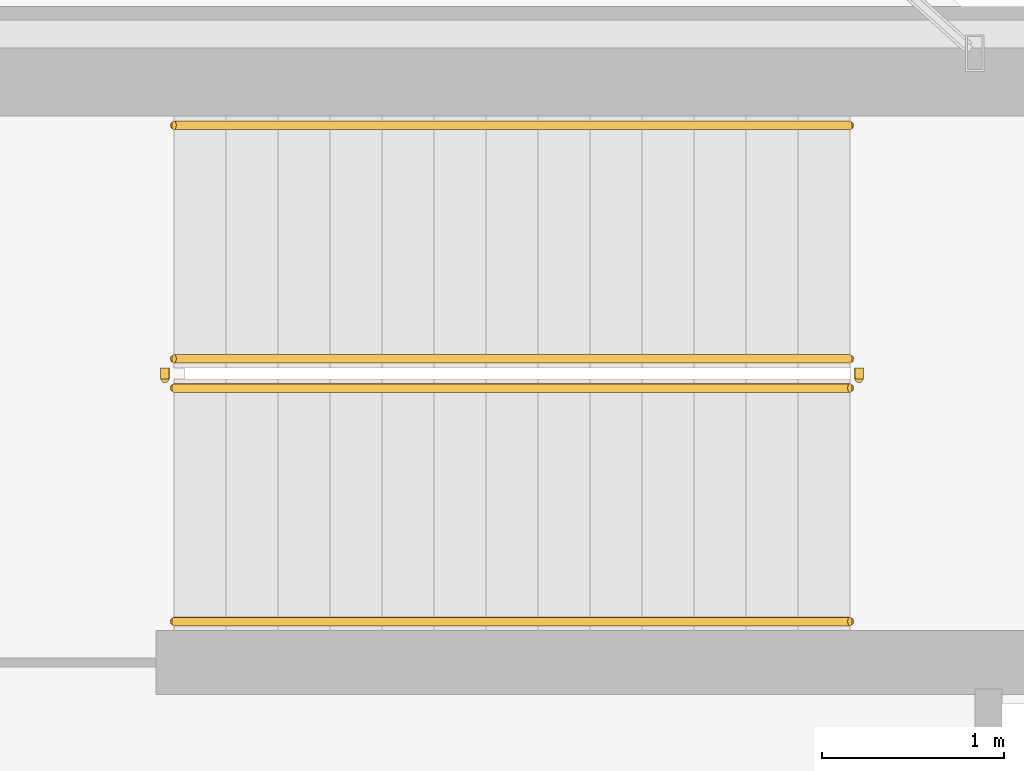
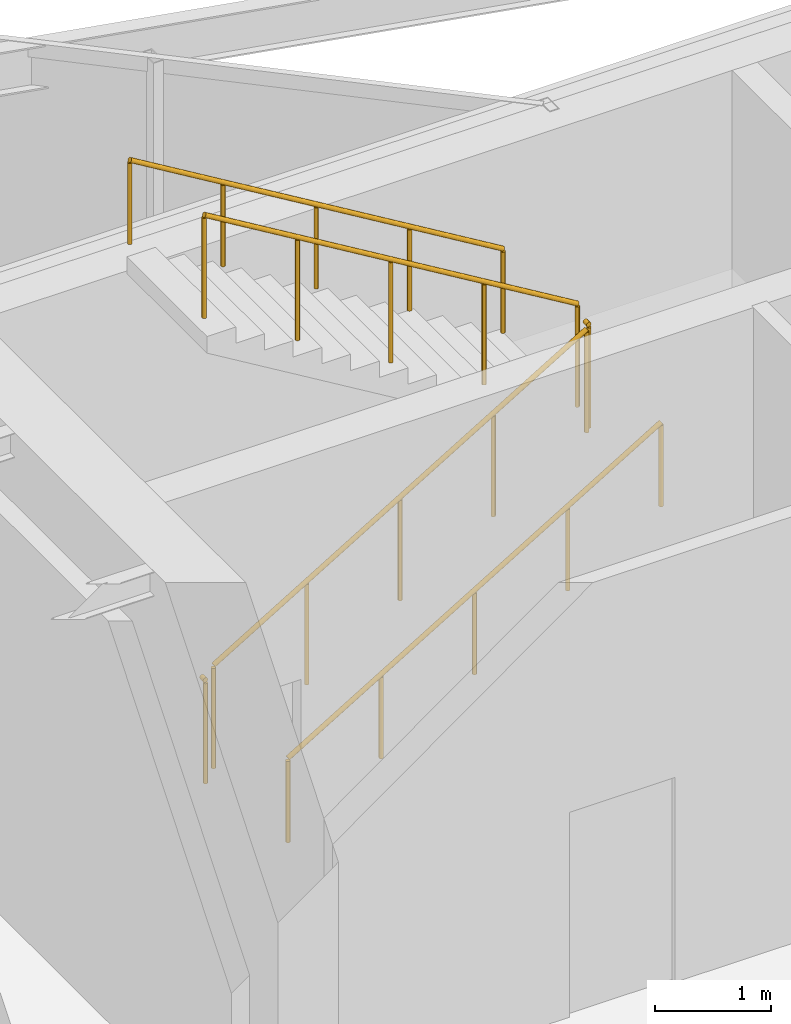
# One storey, part 11 of 11: 6 railings.
"""IFC4 building model written with IfcOpenShell, lengths in metres."""

from ifc_helpers import new_model, si_unit, direction, frame, origin, origin_2d, place, context, subcontext, project, spatial, circle, extrude, material, type_object, element, save


model = new_model("IFC4")

# Units and contexts
model_context = context("Model", 3, precision=1e-05, world=origin(), true_north=direction((0.0, 1.0)))
body_context = subcontext(model_context, "Body", "Model", "MODEL_VIEW")
ifc_project = project(units=[si_unit("LENGTHUNIT", "METRE"), si_unit("AREAUNIT", "SQUARE_METRE"), si_unit("VOLUMEUNIT", "CUBIC_METRE"), si_unit("PLANEANGLEUNIT", "RADIAN"), si_unit("MASSUNIT", "GRAM", prefix="KILO")], contexts=[model_context])

# Site, building, storey
site_placement = place(None, origin())
site = spatial("IfcSite", under=ifc_project, at=site_placement, CompositionType="ELEMENT")
building_placement = place(site_placement, origin())
building = spatial("IfcBuilding", under=site, at=building_placement, Name="Veymaron Broadcast Tower", CompositionType="ELEMENT")
storey_placement = place(building_placement, frame((0.0, 0.0, 327.60009765625)))
storey = spatial("IfcBuildingStorey", under=building, at=storey_placement, Name="L77", CompositionType="ELEMENT", Elevation=327.60009765625)

# Railings
ifc_material_1 = material(Name="Brushed stainless steel AISI 304", Category="steel")
railing_type_1 = type_object("IfcRailingType", Name="RAIL-STAIR-HR", PredefinedType="HANDRAIL", material=ifc_material_1)
railing_1_placement = place(storey_placement, frame((41.429931640625, 28.780029296875, 0.17138671875)))
element("IfcRailing", 1, at=railing_1_placement, inside=storey, type_object=railing_type_1, Name="L77 ST1 stair handrail 1", PredefinedType="HANDRAIL", context=body_context, shape_type="SweptSolid", body=[
    extrude(circle(Radius=0.02392578125, at=origin_2d()), frame((0.0, 0.0, 0.8759765625), z_axis=(0.856934400257, 0.0, 0.515425487977), x_axis=(0.0, 1.0, 0.0)), (0.0, 0.0, 1.0), 4.32373046875),
    extrude(circle(Radius=0.02099609375, at=origin_2d()), origin(), (0.0, 0.0, 1.0), 0.851806640625),
    extrude(circle(Radius=0.02099609375, at=origin_2d()), frame((0.92626953125, 0.0, 0.55712890625)), (0.0, 0.0, 1.0), 0.851806640625),
    extrude(circle(Radius=0.02099609375, at=origin_2d()), frame((1.8525390625, 0.0, 1.1142578125)), (0.0, 0.0, 1.0), 0.851806640625),
    extrude(circle(Radius=0.02099609375, at=origin_2d()), frame((2.77880859375, 0.0, 1.67138671875)), (0.0, 0.0, 1.0), 0.851806640625),
    extrude(circle(Radius=0.02099609375, at=origin_2d()), frame((3.705078125, 0.0, 2.228515625)), (0.0, 0.0, 1.0), 0.851806640625),
])
railing_2_placement = place(storey_placement, frame((45.135009765625, 31.5, 2.5712890625)))
element("IfcRailing", 2, at=railing_2_placement, inside=storey, type_object=railing_type_1, Name="L77 ST1 stair handrail 2", PredefinedType="HANDRAIL", context=body_context, shape_type="SweptSolid", body=[
    extrude(circle(Radius=0.02392578125, at=origin_2d()), frame((0.0, 0.0, 0.8759765625), z_axis=(-0.856934400257, 0.0, 0.515425487977), x_axis=(0.0, -1.0, 0.0)), (0.0, 0.0, 1.0), 4.32373046875),
    extrude(circle(Radius=0.02099609375, at=origin_2d()), origin(), (0.0, 0.0, 1.0), 0.851806640625),
    extrude(circle(Radius=0.02099609375, at=origin_2d()), frame((-0.92626953125, 0.0, 0.55712890625)), (0.0, 0.0, 1.0), 0.851806640625),
    extrude(circle(Radius=0.02099609375, at=origin_2d()), frame((-1.8525390625, 0.0, 1.1142578125)), (0.0, 0.0, 1.0), 0.851806640625),
    extrude(circle(Radius=0.02099609375, at=origin_2d()), frame((-2.77880859375, 0.0, 1.67138671875)), (0.0, 0.0, 1.0), 0.851806640625),
    extrude(circle(Radius=0.02099609375, at=origin_2d()), frame((-3.705078125, 0.0, 2.228515625)), (0.0, 0.0, 1.0), 0.851806640625),
])
ifc_material_2 = material(Name="Painted galvanized steel balustrade", Category="steel")
railing_type_2 = type_object("IfcRailingType", Name="RAIL-WELL-GRD", PredefinedType="GUARDRAIL", material=ifc_material_2)
railing_3_placement = place(storey_placement, frame((41.429931640625, 30.06005859375, 0.17138671875)))
element("IfcRailing", 3, at=railing_3_placement, inside=storey, type_object=railing_type_2, Name="L77 ST1 stair guard 1", PredefinedType="GUARDRAIL", context=body_context, shape_type="SweptSolid", body=[
    extrude(circle(Radius=0.02392578125, at=origin_2d()), frame((0.0, 0.0, 1.076171875), z_axis=(0.856934400257, 0.0, 0.515425487977), x_axis=(0.0, 1.0, 0.0)), (0.0, 0.0, 1.0), 4.32373046875),
    extrude(circle(Radius=0.02099609375, at=origin_2d()), origin(), (0.0, 0.0, 1.0), 1.052001953125),
    extrude(circle(Radius=0.02099609375, at=origin_2d()), frame((0.92626953125, 0.0, 0.55712890625)), (0.0, 0.0, 1.0), 1.052001953125),
    extrude(circle(Radius=0.02099609375, at=origin_2d()), frame((1.8525390625, 0.0, 1.1142578125)), (0.0, 0.0, 1.0), 1.052001953125),
    extrude(circle(Radius=0.02099609375, at=origin_2d()), frame((2.77880859375, 0.0, 1.67138671875)), (0.0, 0.0, 1.0), 1.052001953125),
    extrude(circle(Radius=0.02099609375, at=origin_2d()), frame((3.705078125, 0.0, 2.228515625)), (0.0, 0.0, 1.0), 1.052001953125),
])
railing_4_placement = place(storey_placement, frame((45.18505859375, 30.110107421875, 2.39990234375)))
element("IfcRailing", 4, at=railing_4_placement, inside=storey, type_object=railing_type_2, Name="L77 ST1 stair guard 2", PredefinedType="GUARDRAIL", context=body_context, shape_type="SweptSolid", body=[
    extrude(circle(Radius=0.02392578125, at=origin_2d()), frame((0.0, 0.0, 1.076171875), z_axis=(0.0, 1.0, 0.0), x_axis=(-1.0, 0.0, 0.0)), (0.0, 0.0, 1.0), 0.059814453125),
    extrude(circle(Radius=0.02099609375, at=origin_2d()), origin(), (0.0, 0.0, 1.0), 1.052001953125),
])
railing_5_placement = place(storey_placement, frame((45.135009765625, 30.219970703125, 2.5712890625)))
element("IfcRailing", 5, at=railing_5_placement, inside=storey, type_object=railing_type_2, Name="L77 ST1 stair guard 3", PredefinedType="GUARDRAIL", context=body_context, shape_type="SweptSolid", body=[
    extrude(circle(Radius=0.02392578125, at=origin_2d()), frame((0.0, 0.0, 1.076171875), z_axis=(-0.856934400257, 0.0, 0.515425487977), x_axis=(0.0, -1.0, 0.0)), (0.0, 0.0, 1.0), 4.32373046875),
    extrude(circle(Radius=0.02099609375, at=origin_2d()), origin(), (0.0, 0.0, 1.0), 1.052001953125),
    extrude(circle(Radius=0.02099609375, at=origin_2d()), frame((-0.92626953125, 0.0, 0.55712890625)), (0.0, 0.0, 1.0), 1.052001953125),
    extrude(circle(Radius=0.02099609375, at=origin_2d()), frame((-1.8525390625, 0.0, 1.1142578125)), (0.0, 0.0, 1.0), 1.052001953125),
    extrude(circle(Radius=0.02099609375, at=origin_2d()), frame((-2.77880859375, 0.0, 1.67138671875)), (0.0, 0.0, 1.0), 1.052001953125),
    extrude(circle(Radius=0.02099609375, at=origin_2d()), frame((-3.705078125, 0.0, 2.228515625)), (0.0, 0.0, 1.0), 1.052001953125),
])
railing_6_placement = place(storey_placement, frame((41.3798828125, 30.110107421875, 0.0)))
element("IfcRailing", 6, at=railing_6_placement, inside=storey, type_object=railing_type_2, Name="L77 ST1 stair guard 4", PredefinedType="GUARDRAIL", context=body_context, shape_type="SweptSolid", body=[
    extrude(circle(Radius=0.02392578125, at=origin_2d()), frame((0.0, 0.0, 1.076171875), z_axis=(0.0, 1.0, 0.0), x_axis=(-1.0, 0.0, 0.0)), (0.0, 0.0, 1.0), 0.059814453125),
    extrude(circle(Radius=0.02099609375, at=origin_2d()), origin(), (0.0, 0.0, 1.0), 1.052001953125),
])

save(model, "model.ifc")
